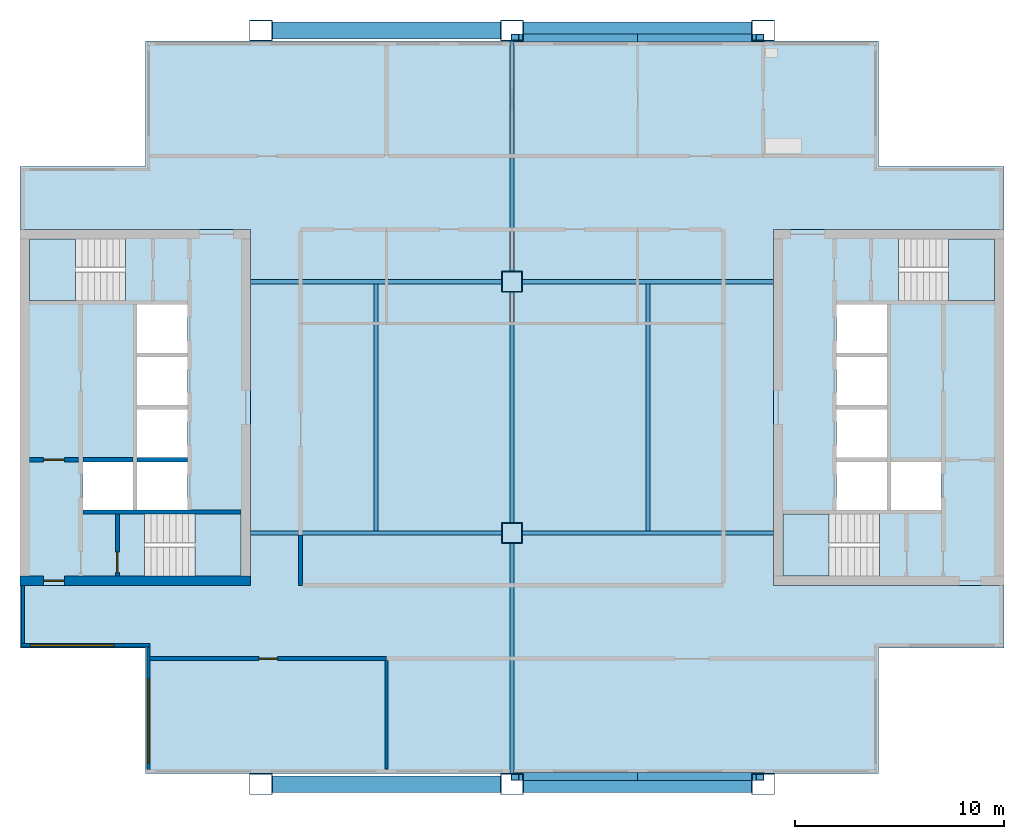
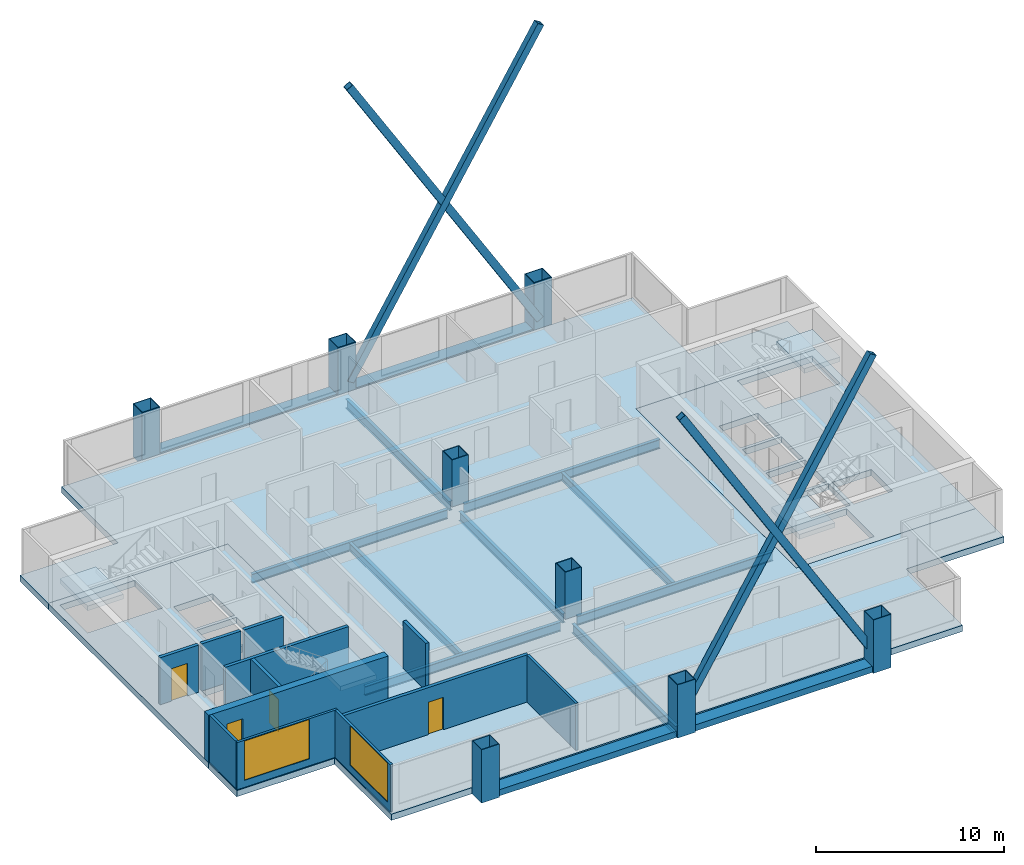
# One storey, part 1 of 7: 13 beams, 12 walls, 8 columns, 7 slabs, 4 doors, 4 members, 2 windows, 6 openings, 4 elements without a shape of their own.
"""IFC4 building model written with IfcOpenShell, lengths in metres."""

from ifc_helpers import new_model, si_unit, direction, frame, frame_2d, origin, origin_2d, place, context, subcontext, project, spatial, polyline, rectangle, hollow_rectangle, i_section, outline, extrude, material, layer, layer_set, material_profile, profile_set, type_object, element, fill, aggregate, save


model = new_model("IFC4")

# Units and contexts
model_context = context("Model", 3, precision=1e-05, world=origin(), true_north=direction((0.0, 1.0)))
body_context = subcontext(model_context, "Body", "Model", "MODEL_VIEW")
ifc_project = project(units=[si_unit("LENGTHUNIT", "METRE"), si_unit("AREAUNIT", "SQUARE_METRE"), si_unit("VOLUMEUNIT", "CUBIC_METRE"), si_unit("PLANEANGLEUNIT", "RADIAN"), si_unit("MASSUNIT", "GRAM", prefix="KILO")], contexts=[model_context])

# Site, building, storey
site_placement = place(None, origin())
site = spatial("IfcSite", under=ifc_project, at=site_placement, CompositionType="ELEMENT")
building_placement = place(site_placement, origin())
building = spatial("IfcBuilding", under=site, at=building_placement, Name="Kitamizu Gate Tower and Museum", CompositionType="ELEMENT")
storey_placement = place(building_placement, frame((0.0, 0.0, 238.64990234375)))
storey = spatial("IfcBuildingStorey", under=building, at=storey_placement, Name="L64", CompositionType="ELEMENT", Elevation=238.64990234375)

# Columns
ifc_material_1 = material(Name="Steel SM490A bronze coated", Category="steel")
ifc_material_profile_1 = material_profile(ifc_material_1, hollow_rectangle(XDim=1.10009765625, YDim=1.0, WallThickness=0.0400390625, at=origin_2d()), Name="BOX 1100x1000x40")
ifc_profile_set_1 = profile_set([ifc_material_profile_1], Name="Steel SM490A bronze coated")
column_type_1 = type_object("IfcColumnType", Name="Exoskeleton column XC8 BOX 1100x1000x40", PredefinedType="COLUMN", material=ifc_profile_set_1)
for number, where, z_axis, x_axis, name in (
    (1, (24.0, 12.0, -0.39990234375), (0.0, 0.0, 1.0), (1.0, 0.0, 0.0), "Column XC8 3B L64"),
    (2, (24.0, 48.0, -0.39990234375), (0.0, 0.0, 1.0), (1.0, 0.0, 0.0), "Column XC8 3E L64"),
    (3, (36.0, 12.0, -0.39990234375), (0.0, 0.0, 1.0), (1.0, 0.0, 0.0), "Column XC8 4B L64"),
    (4, (36.0, 48.0, -0.39990234375), (0.0, 0.0, 1.0), (1.0, 0.0, 0.0), "Column XC8 4E L64"),
    (5, (48.0, 12.0, -0.39990234375), (0.0, 0.0, 1.0), (1.0, 0.0, 0.0), "Column XC8 5B L64"),
    (6, (48.0, 48.0, -0.39990234375), (0.0, 0.0, 1.0), (1.0, 0.0, 0.0), "Column XC8 5E L64"),
):
    element("IfcColumn", number, at=place(storey_placement, frame(where, z_axis=z_axis, x_axis=x_axis)), inside=storey, type_object=column_type_1, Name=name, PredefinedType="COLUMN", context=body_context, shape_type="SweptSolid", body=[
        extrude(hollow_rectangle(XDim=1.10009765625, YDim=1.0, WallThickness=0.0400390625, at=origin_2d()), origin(), (0.0, 0.0, 1.0), 3.449951171875),
    ])
ifc_material_2 = material(Name="Steel SM490A", Category="steel")
ifc_material_profile_2 = material_profile(ifc_material_2, hollow_rectangle(XDim=1.0, YDim=1.0, WallThickness=0.0400390625, at=origin_2d()), Name="BOX 1000x1000x40")
ifc_profile_set_2 = profile_set([ifc_material_profile_2], Name="Steel SM490A")
column_type_2 = type_object("IfcColumnType", Name="Interior column IC5 BOX 1000x1000x40", PredefinedType="COLUMN", material=ifc_profile_set_2)
for number, where, z_axis, x_axis, name in (
    (7, (36.0, 24.0, 0.0), (0.0, 0.0, 1.0), (1.0, 0.0, 0.0), "Column IC5 4C L64"),
    (8, (36.0, 36.0, 0.0), (0.0, 0.0, 1.0), (1.0, 0.0, 0.0), "Column IC5 4D L64"),
):
    element("IfcColumn", number, at=place(storey_placement, frame(where, z_axis=z_axis, x_axis=x_axis)), inside=storey, type_object=column_type_2, Name=name, PredefinedType="COLUMN", context=body_context, shape_type="SweptSolid", body=[
        extrude(hollow_rectangle(XDim=1.0, YDim=1.0, WallThickness=0.0400390625, at=origin_2d()), origin(), (0.0, 0.0, 1.0), 3.050048828125),
    ])

# Members
ifc_material_3 = material(Name="Steel SM490A bronze coated", Category="steel")
ifc_material_profile_3 = material_profile(ifc_material_3, hollow_rectangle(XDim=0.3798828125, YDim=0.43994140625, WallThickness=0.02490234375, at=origin_2d()), Name="BOX 380x440x25")
ifc_profile_set_3 = profile_set([ifc_material_profile_3], Name="Steel SM490A bronze coated")
member_type = type_object("IfcMemberType", Name="Exoskeleton brace XB11 BOX 380x440x25", PredefinedType="BRACE", material=ifc_profile_set_3)
for number, where, z_axis, x_axis, name in (
    (9, (36.199951171875, 12.360107421875, 0.60009765625), (0.520729457208, 0.0, 0.853721753498), (0.0, 1.0, 0.0), "Exoskeleton brace XB11 south 36 L64"),
    (10, (47.800048828125, 12.360107421875, 0.60009765625), (-0.520729457208, 0.0, 0.853721753498), (0.0, -1.0, 0.0), "Exoskeleton brace XB11 south 36 L64"),
    (11, (36.199951171875, 47.639892578125, 0.60009765625), (0.520729457208, 0.0, 0.853721753498), (0.0, 1.0, 0.0), "Exoskeleton brace XB11 north 36 L64"),
    (12, (47.800048828125, 47.639892578125, 0.60009765625), (-0.520729457208, 0.0, 0.853721753498), (0.0, -1.0, 0.0), "Exoskeleton brace XB11 north 36 L64"),
):
    element("IfcMember", number, at=place(storey_placement, frame(where, z_axis=z_axis, x_axis=x_axis)), inside=storey, type_object=member_type, Name=name, PredefinedType="BRACE", context=body_context, shape_type="SweptSolid", body=[
        extrude(hollow_rectangle(XDim=0.3798828125, YDim=0.43994140625, WallThickness=0.02490234375, at=origin_2d()), origin(), (0.0, 0.0, 1.0), 22.372802734375),
    ])

# Beams
ifc_material_4 = material(Name="Steel SM490A bronze coated", Category="steel")
ifc_material_profile_4 = material_profile(ifc_material_4, hollow_rectangle(XDim=0.800048828125, YDim=0.39990234375, WallThickness=0.0400390625, at=origin_2d()), Name="BOX 800x400x40")
ifc_profile_set_4 = profile_set([ifc_material_profile_4], Name="Steel SM490A bronze coated")
beam_type_1 = type_object("IfcBeamType", Name="Exoskeleton spandrel beam SB1 BOX 800x400x40", PredefinedType="SPANDREL", material=ifc_profile_set_4)
for number, where, z_axis, x_axis, name in (
    (13, (24.550048828125, 12.0, -0.199951171875), (1.0, 0.0, 0.0), (0.0, 1.0, 0.0), "Exoskeleton spandrel beam south 24 L64"),
    (14, (36.550048828125, 12.0, -0.199951171875), (1.0, 0.0, 0.0), (0.0, 1.0, 0.0), "Exoskeleton spandrel beam south 36 L64"),
    (15, (24.550048828125, 48.0, -0.199951171875), (1.0, 0.0, 0.0), (0.0, 1.0, 0.0), "Exoskeleton spandrel beam north 24 L64"),
    (16, (36.550048828125, 48.0, -0.199951171875), (1.0, 0.0, 0.0), (0.0, 1.0, 0.0), "Exoskeleton spandrel beam north 36 L64"),
):
    element("IfcBeam", number, at=place(storey_placement, frame(where, z_axis=z_axis, x_axis=x_axis)), inside=storey, type_object=beam_type_1, Name=name, PredefinedType="SPANDREL", context=body_context, shape_type="SweptSolid", body=[
        extrude(hollow_rectangle(XDim=0.800048828125, YDim=0.39990234375, WallThickness=0.0400390625, at=origin_2d()), origin(), (0.0, 0.0, 1.0), 10.89990234375),
    ])
ifc_material_5 = material(Name="Steel SM490A", Category="steel")
ifc_material_profile_5 = material_profile(ifc_material_5, i_section(OverallWidth=0.199951171875, OverallDepth=0.5, WebThickness=0.010009765625, FlangeThickness=0.01611328125, FilletRadius=0.02001953125, at=origin_2d()), Name="H-500x200x10x16")
ifc_profile_set_5 = profile_set([ifc_material_profile_5], Name="Steel SM490A")
beam_type_2 = type_object("IfcBeamType", Name="Floor beam FB1 H 500x200x10x16", PredefinedType="BEAM", material=ifc_profile_set_5)
for number, where, z_axis, x_axis, name in (
    (17, (29.5, 24.10009765625, -0.64990234375), (0.0, 1.0, 0.0), (-1.0, 0.0, 0.0), "Floor beam FB1 L64-1"),
    (18, (42.5, 24.10009765625, -0.64990234375), (0.0, 1.0, 0.0), (-1.0, 0.0, 0.0), "Floor beam FB1 L64-2"),
):
    element("IfcBeam", number, at=place(storey_placement, frame(where, z_axis=z_axis, x_axis=x_axis)), inside=storey, type_object=beam_type_2, Name=name, PredefinedType="BEAM", context=body_context, shape_type="SweptSolid", body=[
        extrude(i_section(OverallWidth=0.199951171875, OverallDepth=0.5, WebThickness=0.010009765625, FlangeThickness=0.01611328125, FilletRadius=0.02001953125, at=origin_2d()), origin(), (0.0, 0.0, 1.0), 11.7998046875),
    ])
ifc_material_6 = material(Name="Steel SM490A", Category="steel")
ifc_material_profile_6 = material_profile(ifc_material_6, i_section(OverallWidth=0.199951171875, OverallDepth=0.60009765625, WebThickness=0.010986328125, FlangeThickness=0.01708984375, FilletRadius=0.02197265625, at=origin_2d()), Name="H-600x200x11x17")
ifc_profile_set_6 = profile_set([ifc_material_profile_6], Name="Steel SM490A")
beam_type_3 = type_object("IfcBeamType", Name="Floor girder FG1 H 600x200x11x17", PredefinedType="BEAM", material=ifc_profile_set_6)
for number, where, z_axis, x_axis, name in (
    (19, (36.0, 12.5, -0.699951171875), (0.0, 1.0, 0.0), (-1.0, 0.0, 0.0), "Floor girder FG1 x36 L64"),
    (20, (36.0, 24.5, -0.699951171875), (0.0, 1.0, 0.0), (-1.0, 0.0, 0.0), "Floor girder FG1 x36 L64"),
    (21, (36.0, 36.5, -0.699951171875), (0.0, 1.0, 0.0), (-1.0, 0.0, 0.0), "Floor girder FG1 x36 L64"),
):
    element("IfcBeam", number, at=place(storey_placement, frame(where, z_axis=z_axis, x_axis=x_axis)), inside=storey, type_object=beam_type_3, Name=name, PredefinedType="BEAM", context=body_context, shape_type="SweptSolid", body=[
        extrude(i_section(OverallWidth=0.199951171875, OverallDepth=0.60009765625, WebThickness=0.010986328125, FlangeThickness=0.01708984375, FilletRadius=0.02197265625, at=origin_2d()), origin(), (0.0, 0.0, 1.0), 11.0),
    ])
for number, where, z_axis, x_axis, name in (
    (22, (23.5, 24.0, -0.699951171875), (1.0, 0.0, 0.0), (0.0, 1.0, 0.0), "Floor girder FG1 y24 L64"),
    (23, (36.5, 24.0, -0.699951171875), (1.0, 0.0, 0.0), (0.0, 1.0, 0.0), "Floor girder FG1 y24 L64"),
    (24, (23.5, 36.0, -0.699951171875), (1.0, 0.0, 0.0), (0.0, 1.0, 0.0), "Floor girder FG1 y36 L64"),
    (25, (36.5, 36.0, -0.699951171875), (1.0, 0.0, 0.0), (0.0, 1.0, 0.0), "Floor girder FG1 y36 L64"),
):
    element("IfcBeam", number, at=place(storey_placement, frame(where, z_axis=z_axis, x_axis=x_axis)), inside=storey, type_object=beam_type_3, Name=name, PredefinedType="BEAM", context=body_context, shape_type="SweptSolid", body=[
        extrude(i_section(OverallWidth=0.199951171875, OverallDepth=0.60009765625, WebThickness=0.010986328125, FlangeThickness=0.01708984375, FilletRadius=0.02197265625, at=origin_2d()), origin(), (0.0, 0.0, 1.0), 12.0),
    ])

# Slabs
ifc_material_7 = material(Name="Concrete Fc36", Category="concrete")
ifc_layer_1 = layer(ifc_material_7, 0.39990234375)
ifc_layer_set_1 = layer_set([ifc_layer_1], Name="Concrete Fc36")
slab_type_1 = type_object("IfcSlabType", Name="Core floor slab 400", PredefinedType="FLOOR", material=ifc_layer_set_1)
slab_1_placement = place(storey_placement, frame((0.0, 0.0, -0.39990234375)))
element("IfcSlab", 26, at=slab_1_placement, inside=storey, type_object=slab_type_1, Name="Core floor slab W", PredefinedType="FLOOR", context=body_context, shape_type="SweptSolid", body=[
    extrude(outline(polyline([(12.5, 21.5), (23.5, 21.5), (23.5, 38.5), (12.5, 38.5), (12.5, 21.5)]), holes=[polyline([(15.5, 25.10009765625), (17.89990234375, 25.10009765625), (17.89990234375, 27.39990234375), (15.5, 27.39990234375), (15.5, 25.10009765625)]), polyline([(18.10009765625, 25.10009765625), (20.5, 25.10009765625), (20.5, 27.39990234375), (18.10009765625, 27.39990234375), (18.10009765625, 25.10009765625)]), polyline([(18.10009765625, 27.60009765625), (20.5, 27.60009765625), (20.5, 29.89990234375), (18.10009765625, 29.89990234375), (18.10009765625, 27.60009765625)]), polyline([(18.10009765625, 30.10009765625), (20.5, 30.10009765625), (20.5, 32.39990234375), (18.10009765625, 32.39990234375), (18.10009765625, 30.10009765625)]), polyline([(18.10009765625, 32.60009765625), (20.5, 32.60009765625), (20.5, 34.89990234375), (18.10009765625, 34.89990234375), (18.10009765625, 32.60009765625)]), polyline([(18.45068359375, 21.949951171875), (23.050048828125, 21.949951171875), (23.050048828125, 24.89990234375), (18.45068359375, 24.89990234375), (18.45068359375, 21.949951171875)]), polyline([(12.949951171875, 35.10009765625), (17.54931640625, 35.10009765625), (17.54931640625, 38.050048828125), (12.949951171875, 38.050048828125), (12.949951171875, 35.10009765625)])]), origin(), (0.0, 0.0, 1.0), 0.39990234375),
])
slab_2_placement = place(storey_placement, frame((0.0, 0.0, -0.39990234375)))
element("IfcSlab", 27, at=slab_2_placement, inside=storey, type_object=slab_type_1, Name="Core floor slab E", PredefinedType="FLOOR", context=body_context, shape_type="SweptSolid", body=[
    extrude(outline(polyline([(48.5, 21.5), (59.5, 21.5), (59.5, 38.5), (48.5, 38.5), (48.5, 21.5)]), holes=[polyline([(54.10009765625, 25.10009765625), (56.5, 25.10009765625), (56.5, 27.39990234375), (54.10009765625, 27.39990234375), (54.10009765625, 25.10009765625)]), polyline([(51.5, 25.10009765625), (53.89990234375, 25.10009765625), (53.89990234375, 27.39990234375), (51.5, 27.39990234375), (51.5, 25.10009765625)]), polyline([(51.5, 27.60009765625), (53.89990234375, 27.60009765625), (53.89990234375, 29.89990234375), (51.5, 29.89990234375), (51.5, 27.60009765625)]), polyline([(51.5, 30.10009765625), (53.89990234375, 30.10009765625), (53.89990234375, 32.39990234375), (51.5, 32.39990234375), (51.5, 30.10009765625)]), polyline([(51.5, 32.60009765625), (53.89990234375, 32.60009765625), (53.89990234375, 34.89990234375), (51.5, 34.89990234375), (51.5, 32.60009765625)]), polyline([(48.949951171875, 21.949951171875), (53.54931640625, 21.949951171875), (53.54931640625, 24.89990234375), (48.949951171875, 24.89990234375), (48.949951171875, 21.949951171875)]), polyline([(54.45068359375, 35.10009765625), (59.050048828125, 35.10009765625), (59.050048828125, 38.050048828125), (54.45068359375, 38.050048828125), (54.45068359375, 35.10009765625)])]), origin(), (0.0, 0.0, 1.0), 0.39990234375),
])
ifc_material_8 = material(Name="Concrete Fc36", Category="concrete")
ifc_layer_2 = layer(ifc_material_8, 0.39990234375)
ifc_layer_set_2 = layer_set([ifc_layer_2], Name="Concrete Fc36")
slab_type_2 = type_object("IfcSlabType", Name="Post tensioned flat slab 400", PredefinedType="FLOOR", material=ifc_layer_set_2)
slab_3_placement = place(storey_placement, frame((0.0, 0.0, -0.39990234375)))
element("IfcSlab", 28, at=slab_3_placement, inside=storey, type_object=slab_type_2, Name="Floor slab L64-1", PredefinedType="FLOOR", context=body_context, shape_type="SweptSolid", body=[
    extrude(outline(polyline([(12.5, 18.5), (12.5, 21.5), (23.5, 21.5), (23.5, 38.5), (12.5, 38.5), (12.5, 41.5), (18.5, 41.5), (18.5, 47.5), (53.5, 47.5), (53.5, 41.5), (59.5, 41.5), (59.5, 38.5), (48.5, 38.5), (48.5, 21.5), (59.5, 21.5), (59.5, 18.5), (53.5, 18.5), (53.5, 12.5), (18.5, 12.5), (18.5, 18.5), (12.5, 18.5)])), origin(), (0.0, 0.0, 1.0), 0.39990234375),
])

# Stair, slab
ifc_material_9 = material(Name="Concrete Fc42", Category="concrete")
stair_type = type_object("IfcStairType", Name="Exit stair 1375 wide 192 rise 300 going", PredefinedType="HALF_TURN_STAIR", material=ifc_material_9)
stair_1_placement = place(storey_placement, origin())
stair_1 = element("IfcStair", 29, at=stair_1_placement, inside=storey, type_object=stair_type, Name="Exit stair ST1", PredefinedType="HALF_TURN_STAIR")
ifc_material_10 = material(Name="Concrete Fc42", Category="concrete")
ifc_layer_3 = layer(ifc_material_10, 0.300048828125)
ifc_layer_set_3 = layer_set([ifc_layer_3], Name="Concrete Fc42")
slab_type_3 = type_object("IfcSlabType", Name="Stair landing 300", PredefinedType="LANDING", material=ifc_layer_set_3)
slab_4_placement = place(storey_placement, frame((0.0, 0.0, 1.425048828125)))
slab_4 = element("IfcSlab", 30, at=slab_4_placement, type_object=slab_type_3, Name="ST1 landing 1", PredefinedType="LANDING", context=body_context, shape_type="SweptSolid", body=[
    extrude(outline(polyline([(20.85009765625, 21.949951171875), (23.050048828125, 21.949951171875), (23.050048828125, 24.89990234375), (20.85009765625, 24.89990234375), (20.85009765625, 21.949951171875)])), origin(), (0.0, 0.0, 1.0), 0.300048828125),
])
aggregate(stair_1, [slab_4])

stair_2_placement = place(storey_placement, origin())
stair_2 = element("IfcStair", 31, at=stair_2_placement, inside=storey, type_object=stair_type, Name="Exit stair ST2", PredefinedType="HALF_TURN_STAIR")
slab_5_placement = place(storey_placement, frame((0.0, 0.0, 1.425048828125)))
slab_5 = element("IfcSlab", 32, at=slab_5_placement, type_object=slab_type_3, Name="ST2 landing 1", PredefinedType="LANDING", context=body_context, shape_type="SweptSolid", body=[
    extrude(outline(polyline([(12.949951171875, 35.10009765625), (15.14990234375, 35.10009765625), (15.14990234375, 38.050048828125), (12.949951171875, 38.050048828125), (12.949951171875, 35.10009765625)])), origin(), (0.0, 0.0, 1.0), 0.300048828125),
])
aggregate(stair_2, [slab_5])

stair_3_placement = place(storey_placement, origin())
stair_3 = element("IfcStair", 33, at=stair_3_placement, inside=storey, type_object=stair_type, Name="Exit stair ST3", PredefinedType="HALF_TURN_STAIR")
slab_6_placement = place(storey_placement, frame((0.0, 0.0, 1.425048828125)))
slab_6 = element("IfcSlab", 34, at=slab_6_placement, type_object=slab_type_3, Name="ST3 landing 1", PredefinedType="LANDING", context=body_context, shape_type="SweptSolid", body=[
    extrude(outline(polyline([(48.949951171875, 21.949951171875), (51.14990234375, 21.949951171875), (51.14990234375, 24.89990234375), (48.949951171875, 24.89990234375), (48.949951171875, 21.949951171875)])), origin(), (0.0, 0.0, 1.0), 0.300048828125),
])
aggregate(stair_3, [slab_6])

stair_4_placement = place(storey_placement, origin())
stair_4 = element("IfcStair", 35, at=stair_4_placement, inside=storey, type_object=stair_type, Name="Exit stair ST4", PredefinedType="HALF_TURN_STAIR")
slab_7_placement = place(storey_placement, frame((0.0, 0.0, 1.425048828125)))
slab_7 = element("IfcSlab", 36, at=slab_7_placement, type_object=slab_type_3, Name="ST4 landing 1", PredefinedType="LANDING", context=body_context, shape_type="SweptSolid", body=[
    extrude(outline(polyline([(56.85009765625, 35.10009765625), (59.050048828125, 35.10009765625), (59.050048828125, 38.050048828125), (56.85009765625, 38.050048828125), (56.85009765625, 35.10009765625)])), origin(), (0.0, 0.0, 1.0), 0.300048828125),
])
aggregate(stair_4, [slab_7])

# Wall, opening, door
ifc_material_11 = material(Name="Concrete Fc42", Category="concrete")
ifc_layer_4 = layer(ifc_material_11, 0.449951171875)
ifc_layer_set_4 = layer_set([ifc_layer_4], Name="Concrete Fc42")
wall_type_1 = type_object("IfcWallType", Name="Core wall 450", PredefinedType="SHEAR", material=ifc_layer_set_4)
wall_1_placement = place(storey_placement, frame((12.5, 21.72509765625, 0.0), z_axis=(0.0, 0.0, 1.0), x_axis=(1.0, 0.0, 0.0)))
wall_1 = element("IfcWall", 37, at=wall_1_placement, inside=storey, type_object=wall_type_1, Name="Core wall WS", PredefinedType="SHEAR", context=body_context, shape_type="SweptSolid", body=[
    extrude(rectangle(XDim=11.0, YDim=0.449951171875, at=frame_2d((5.5, 0.0))), origin(), (0.0, 0.0, 1.0), 3.050048828125),
])
opening_1_placement = place(wall_1_placement, frame((1.125, 0.0, 0.0)))
opening_1 = element("IfcOpeningElement", 38, at=opening_1_placement, cuts=wall_1, Name="Opening L64-018", PredefinedType="OPENING", context=body_context, shape_type="SweptSolid", body=[
    extrude(rectangle(XDim=1.0, YDim=2.10009765625, at=frame_2d((0.5, 1.050048828125))), frame((0.0, 0.23486328125, 0.0), z_axis=(0.0, -1.0, 0.0), x_axis=(1.0, 0.0, 0.0)), (0.0, 0.0, 1.0), 0.469970703125),
])
ifc_material_12 = material(Name="Hollow metal door set")
door_type_1 = type_object("IfcDoorType", Name="Fire door 1000", OperationType="NOTDEFINED", PredefinedType="DOOR", material=ifc_material_12)
door_1_placement = place(opening_1_placement, origin())
door_1 = element("IfcDoor", 39, at=door_1_placement, inside=storey, type_object=door_type_1, Name="Fire-fighting lobby door L64-018", OperationType="SINGLE_SWING_LEFT", OverallHeight=2.10009765625, OverallWidth=1.0, PredefinedType="DOOR", context=body_context, shape_type="SweptSolid", body=[
    extrude(rectangle(XDim=1.0, YDim=2.10009765625, at=frame_2d((0.5, 1.050048828125))), frame((0.0, 0.02490234375, 0.0), z_axis=(0.0, -1.0, 0.0), x_axis=(1.0, 0.0, 0.0)), (0.0, 0.0, 1.0), 0.050048828125),
])
fill(opening_1, door_1)

# Wall
ifc_material_13 = material(Name="Gypsum board on galvanised stud")
ifc_layer_5 = layer(ifc_material_13, 0.14990234375)
ifc_layer_set_5 = layer_set([ifc_layer_5], Name="Gypsum board on galvanised stud")
wall_type_2 = type_object("IfcWallType", Name="Partition 150", PredefinedType="PARTITIONING", material=ifc_layer_set_5)
wall_2_placement = place(storey_placement, frame((30.0, 12.719970703125, 0.0), z_axis=(0.0, 0.0, 1.0), x_axis=(0.0, 1.0, 0.0)))
element("IfcWall", 40, at=wall_2_placement, inside=storey, type_object=wall_type_2, Name="Partition L64-010", PredefinedType="PARTITIONING", context=body_context, shape_type="SweptSolid", body=[
    extrude(rectangle(XDim=5.179931640625, YDim=0.14990234375, at=frame_2d((2.58984375, 0.0))), origin(), (0.0, 0.0, 1.0), 3.050048828125),
])

# Wall, opening, door
ifc_material_14 = material(Name="Gypsum board on galvanised stud")
ifc_layer_6 = layer(ifc_material_14, 0.199951171875)
ifc_layer_set_6 = layer_set([ifc_layer_6], Name="Gypsum board on galvanised stud")
wall_type_3 = type_object("IfcWallType", Name="Partition 200", PredefinedType="PARTITIONING", material=ifc_layer_set_6)
wall_3_placement = place(storey_placement, frame((30.0, 18.0, 0.0), z_axis=(0.0, 0.0, 1.0), x_axis=(-1.0, 0.0, 0.0)))
wall_3 = element("IfcWall", 41, at=wall_3_placement, inside=storey, type_object=wall_type_3, Name="Partition L64-011", PredefinedType="PARTITIONING", context=body_context, shape_type="SweptSolid", body=[
    extrude(rectangle(XDim=11.280029296875, YDim=0.199951171875, at=frame_2d((5.64013671875, 0.0))), origin(), (0.0, 0.0, 1.0), 3.050048828125),
])
opening_2_placement = place(wall_3_placement, frame((5.18994140625, 0.0, 0.0)))
opening_2 = element("IfcOpeningElement", 42, at=opening_2_placement, cuts=wall_3, Name="Opening L64-006", PredefinedType="OPENING", context=body_context, shape_type="SweptSolid", body=[
    extrude(rectangle(XDim=0.89990234375, YDim=2.10009765625, at=frame_2d((0.449951171875, 1.050048828125))), frame((0.0, 0.10986328125, 0.0), z_axis=(0.0, -1.0, 0.0), x_axis=(1.0, 0.0, 0.0)), (0.0, 0.0, 1.0), 0.219970703125),
])
ifc_material_15 = material(Name="Timber door set", Category="wood")
door_type_2 = type_object("IfcDoorType", Name="Room door 900", OperationType="NOTDEFINED", PredefinedType="DOOR", material=ifc_material_15)
door_2_placement = place(opening_2_placement, origin())
door_2 = element("IfcDoor", 43, at=door_2_placement, inside=storey, type_object=door_type_2, Name="Door L64-006", OperationType="SINGLE_SWING_LEFT", OverallHeight=2.10009765625, OverallWidth=0.89990234375, PredefinedType="DOOR", context=body_context, shape_type="SweptSolid", body=[
    extrude(rectangle(XDim=0.89990234375, YDim=2.10009765625, at=frame_2d((0.449951171875, 1.050048828125))), frame((0.0, 0.02490234375, 0.0), z_axis=(0.0, -1.0, 0.0), x_axis=(1.0, 0.0, 0.0)), (0.0, 0.0, 1.0), 0.050048828125),
])
fill(opening_2, door_2)

# Walls
wall_4_placement = place(storey_placement, frame((25.89990234375, 23.89990234375, 0.0), z_axis=(0.0, 0.0, 1.0), x_axis=(0.0, -1.0, 0.0)))
element("IfcWall", 44, at=wall_4_placement, inside=storey, type_object=wall_type_3, Name="Partition L64-015", PredefinedType="PARTITIONING", context=body_context, shape_type="SweptSolid", body=[
    extrude(rectangle(XDim=2.39990234375, YDim=0.199951171875, at=frame_2d((1.199951171875, 0.0))), origin(), (0.0, 0.0, 1.0), 3.050048828125),
])
ifc_material_16 = material(Name="Concrete Fc42", Category="concrete")
ifc_layer_7 = layer(ifc_material_16, 0.199951171875)
ifc_layer_set_7 = layer_set([ifc_layer_7], Name="Concrete Fc42")
wall_type_4 = type_object("IfcWallType", Name="Shaft wall 200", PredefinedType="SOLIDWALL", material=ifc_layer_set_7)
wall_5_placement = place(storey_placement, frame((15.5, 25.0, 0.0), z_axis=(0.0, 0.0, 1.0), x_axis=(1.0, 0.0, 0.0)))
element("IfcWall", 45, at=wall_5_placement, inside=storey, type_object=wall_type_4, Name="Shaft wall WSB", PredefinedType="SOLIDWALL", context=body_context, shape_type="SweptSolid", body=[
    extrude(rectangle(XDim=7.550048828125, YDim=0.199951171875, at=frame_2d((3.77490234375, 0.0))), origin(), (0.0, 0.0, 1.0), 3.050048828125),
])

# Wall, opening, door
wall_6_placement = place(storey_placement, frame((12.949951171875, 27.5, 0.0), z_axis=(0.0, 0.0, 1.0), x_axis=(1.0, 0.0, 0.0)))
wall_6 = element("IfcWall", 46, at=wall_6_placement, inside=storey, type_object=wall_type_4, Name="Shaft wall WFFN", PredefinedType="SOLIDWALL", context=body_context, shape_type="SweptSolid", body=[
    extrude(rectangle(XDim=2.35009765625, YDim=0.199951171875, at=frame_2d((1.175048828125, 0.0))), origin(), (0.0, 0.0, 1.0), 3.050048828125),
])
opening_3_placement = place(wall_6_placement, frame((0.675048828125, 0.0, 0.0)))
opening_3 = element("IfcOpeningElement", 47, at=opening_3_placement, cuts=wall_6, Name="Opening L64-017", PredefinedType="OPENING", context=body_context, shape_type="SweptSolid", body=[
    extrude(rectangle(XDim=1.0, YDim=2.10009765625, at=frame_2d((0.5, 1.050048828125))), frame((0.0, 0.10986328125, 0.0), z_axis=(0.0, -1.0, 0.0), x_axis=(1.0, 0.0, 0.0)), (0.0, 0.0, 1.0), 0.219970703125),
])
door_3_placement = place(opening_3_placement, frame((1.0, 0.0, 0.0), x_axis=(-1.0, 0.0, 0.0)))
door_3 = element("IfcDoor", 48, at=door_3_placement, inside=storey, type_object=door_type_1, Name="Fire-fighting lobby door L64-017", OperationType="SINGLE_SWING_LEFT", OverallHeight=2.10009765625, OverallWidth=1.0, PredefinedType="DOOR", context=body_context, shape_type="SweptSolid", body=[
    extrude(rectangle(XDim=1.0, YDim=2.10009765625, at=frame_2d((0.5, 1.050048828125))), frame((0.0, 0.02490234375, 0.0), z_axis=(0.0, -1.0, 0.0), x_axis=(1.0, 0.0, 0.0)), (0.0, 0.0, 1.0), 0.050048828125),
])
fill(opening_3, door_3)

wall_7_placement = place(storey_placement, frame((17.14990234375, 21.949951171875, 0.0), z_axis=(0.0, 0.0, 1.0), x_axis=(0.0, 1.0, 0.0)))
wall_7 = element("IfcWall", 49, at=wall_7_placement, inside=storey, type_object=wall_type_4, Name="Shaft wall WSZ", PredefinedType="SOLIDWALL", context=body_context, shape_type="SweptSolid", body=[
    extrude(rectangle(XDim=2.949951171875, YDim=0.199951171875, at=frame_2d((1.47509765625, 0.0))), origin(), (0.0, 0.0, 1.0), 3.050048828125),
])
opening_4_placement = place(wall_7_placement, frame((0.14990234375, 0.0, 0.0)))
opening_4 = element("IfcOpeningElement", 50, at=opening_4_placement, cuts=wall_7, Name="Opening L64-013", PredefinedType="OPENING", context=body_context, shape_type="SweptSolid", body=[
    extrude(rectangle(XDim=1.0, YDim=2.10009765625, at=frame_2d((0.5, 1.050048828125))), frame((0.0, 0.10986328125, 0.0), z_axis=(0.0, -1.0, 0.0), x_axis=(1.0, 0.0, 0.0)), (0.0, 0.0, 1.0), 0.219970703125),
])
door_4_placement = place(opening_4_placement, frame((1.0, 0.0, 0.0), x_axis=(-1.0, 0.0, 0.0)))
door_4 = element("IfcDoor", 51, at=door_4_placement, inside=storey, type_object=door_type_1, Name="Stair door L64-013", OperationType="SINGLE_SWING_LEFT", OverallHeight=2.10009765625, OverallWidth=1.0, PredefinedType="DOOR", context=body_context, shape_type="SweptSolid", body=[
    extrude(rectangle(XDim=1.0, YDim=2.10009765625, at=frame_2d((0.5, 1.050048828125))), frame((0.0, 0.02490234375, 0.0), z_axis=(0.0, -1.0, 0.0), x_axis=(1.0, 0.0, 0.0)), (0.0, 0.0, 1.0), 0.050048828125),
])
fill(opening_4, door_4)

# Walls
for number, where, z_axis, x_axis, name in (
    (52, (15.5, 27.5, 0.0), (0.0, 0.0, 1.0), (1.0, 0.0, 0.0), "Shaft wall WDVW0"),
    (53, (18.10009765625, 27.5, 0.0), (0.0, 0.0, 1.0), (1.0, 0.0, 0.0), "Shaft wall WDVE0"),
):
    element("IfcWall", number, at=place(storey_placement, frame(where, z_axis=z_axis, x_axis=x_axis)), inside=storey, type_object=wall_type_4, Name=name, PredefinedType="SOLIDWALL", context=body_context, shape_type="SweptSolid", body=[
        extrude(rectangle(XDim=2.39990234375, YDim=0.199951171875, at=frame_2d((1.199951171875, 0.0))), origin(), (0.0, 0.0, 1.0), 3.050048828125),
    ])
ifc_material_17 = material(Name="Bronze anodised aluminium frame with insulated spandrel and tinted glass", Category="aluminium")
ifc_layer_8 = layer(ifc_material_17, 0.14990234375)
ifc_layer_set_8 = layer_set([ifc_layer_8], Name="Bronze anodised aluminium frame with insulated spandrel and tinted glass")
wall_type_5 = type_object("IfcWallType", Name="WINDOW WALL 150 BRONZE FRAME EI 30", PredefinedType="ELEMENTEDWALL", material=ifc_layer_set_8)
wall_8_placement = place(storey_placement, frame((12.635009765625, 18.7099609375, 0.0), z_axis=(0.0, 0.0, 1.0), x_axis=(0.0, 1.0, 0.0)))
element("IfcWall", 54, at=wall_8_placement, inside=storey, type_object=wall_type_5, Name="Window wall west L64", PredefinedType="ELEMENTEDWALL", context=body_context, shape_type="SweptSolid", body=[
    extrude(rectangle(XDim=2.7900390625, YDim=0.14990234375, at=frame_2d((1.39501953125, 0.0))), origin(), (0.0, 0.0, 1.0), 3.050048828125),
])

# Wall, opening, window
wall_9_placement = place(storey_placement, frame((12.56005859375, 18.635009765625, 0.0), z_axis=(0.0, 0.0, 1.0), x_axis=(1.0, 0.0, 0.0)))
wall_9 = element("IfcWall", 55, at=wall_9_placement, inside=storey, type_object=wall_type_5, Name="Window wall south L64", PredefinedType="ELEMENTEDWALL", context=body_context, shape_type="SweptSolid", body=[
    extrude(rectangle(XDim=6.14990234375, YDim=0.14990234375, at=frame_2d((3.074951171875, 0.0))), origin(), (0.0, 0.0, 1.0), 3.050048828125),
])
opening_5_placement = place(wall_9_placement, frame((0.43994140625, 0.0, 0.449951171875)))
opening_5 = element("IfcOpeningElement", 56, at=opening_5_placement, cuts=wall_9, Name="Opening W16", PredefinedType="OPENING", context=body_context, shape_type="SweptSolid", body=[
    extrude(rectangle(XDim=4.0, YDim=2.550048828125, at=frame_2d((2.0, 1.27490234375))), frame((0.0, 0.0849609375, 0.0), z_axis=(0.0, -1.0, 0.0), x_axis=(1.0, 0.0, 0.0)), (0.0, 0.0, 1.0), 0.169921875),
])
ifc_material_18 = material(Name="Bronze anodised aluminium frame, tinted triple glazing", Category="aluminium")
window_type = type_object("IfcWindowType", Name="WINDOW 4000 x 2550 SILL 450", PartitioningType="SINGLE_PANEL", PredefinedType="WINDOW", material=ifc_material_18)
window_1_placement = place(opening_5_placement, origin())
window_1 = element("IfcWindow", 57, at=window_1_placement, inside=storey, type_object=window_type, Name="Window W16 L64", OverallHeight=2.550048828125, OverallWidth=4.0, PartitioningType="SINGLE_PANEL", PredefinedType="WINDOW", context=body_context, shape_type="SweptSolid", body=[
    extrude(rectangle(XDim=4.0, YDim=2.550048828125, at=frame_2d((2.0, 1.27490234375))), frame((0.0, 0.030029296875, 0.0), z_axis=(0.0, -1.0, 0.0), x_axis=(1.0, 0.0, 0.0)), (0.0, 0.0, 1.0), 0.06005859375),
])
fill(opening_5, window_1)

wall_10_placement = place(storey_placement, frame((18.635009765625, 12.7099609375, 0.0), z_axis=(0.0, 0.0, 1.0), x_axis=(0.0, 1.0, 0.0)))
wall_10 = element("IfcWall", 58, at=wall_10_placement, inside=storey, type_object=wall_type_5, Name="Window wall west L64", PredefinedType="ELEMENTEDWALL", context=body_context, shape_type="SweptSolid", body=[
    extrude(rectangle(XDim=5.85009765625, YDim=0.14990234375, at=frame_2d((2.925048828125, 0.0))), origin(), (0.0, 0.0, 1.0), 3.050048828125),
])
opening_6_placement = place(wall_10_placement, frame((0.2900390625, 0.0, 0.449951171875)))
opening_6 = element("IfcOpeningElement", 59, at=opening_6_placement, cuts=wall_10, Name="Opening W16", PredefinedType="OPENING", context=body_context, shape_type="SweptSolid", body=[
    extrude(rectangle(XDim=4.0, YDim=2.550048828125, at=frame_2d((2.0, 1.27490234375))), frame((0.0, 0.0849609375, 0.0), z_axis=(0.0, -1.0, 0.0), x_axis=(1.0, 0.0, 0.0)), (0.0, 0.0, 1.0), 0.169921875),
])
window_2_placement = place(opening_6_placement, origin())
window_2 = element("IfcWindow", 60, at=window_2_placement, inside=storey, type_object=window_type, Name="Window W16 L64", OverallHeight=2.550048828125, OverallWidth=4.0, PartitioningType="SINGLE_PANEL", PredefinedType="WINDOW", context=body_context, shape_type="SweptSolid", body=[
    extrude(rectangle(XDim=4.0, YDim=2.550048828125, at=frame_2d((2.0, 1.27490234375))), frame((0.0, 0.030029296875, 0.0), z_axis=(0.0, -1.0, 0.0), x_axis=(1.0, 0.0, 0.0)), (0.0, 0.0, 1.0), 0.06005859375),
])
fill(opening_6, window_2)

save(model, "model.ifc")
